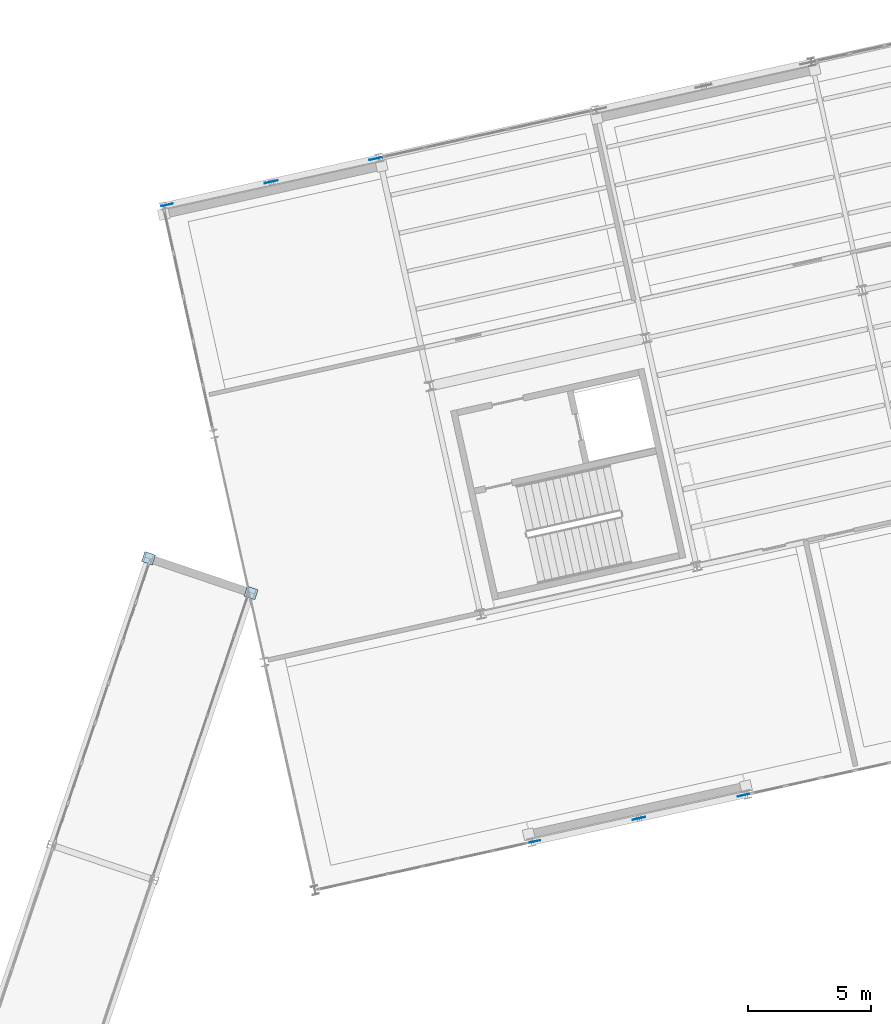
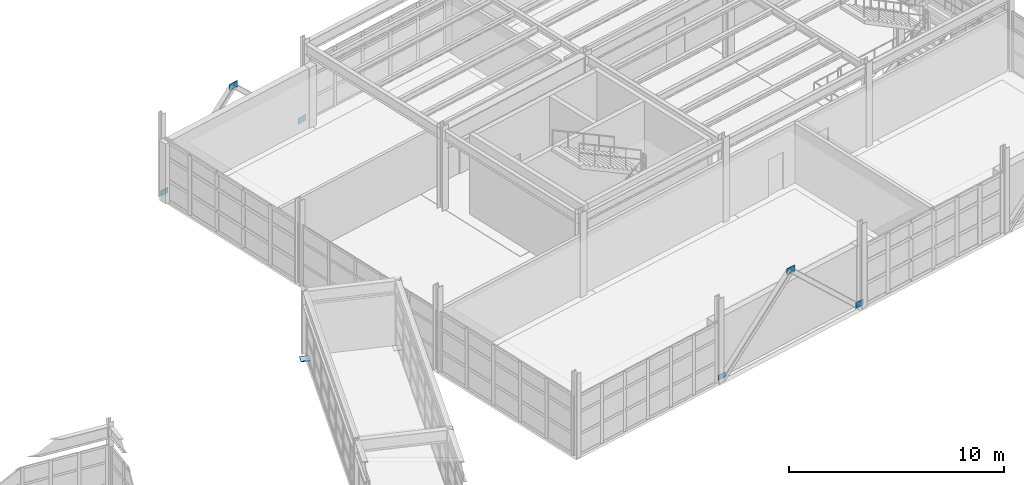
# One storey, part 83 of 102: 8 plates.
"""IFC4 building model written with IfcOpenShell, lengths in metres."""

from ifc_helpers import new_model, si_unit, direction, frame, origin, origin_2d, place, context, subcontext, project, spatial, rectangle, extrude, material, layer, layer_set, type_object, element, save


model = new_model("IFC4")

# Units and contexts
model_context = context("Model", 3, precision=1e-05, world=origin(), true_north=direction((0.0, 1.0)))
body_context = subcontext(model_context, "Body", "Model", "MODEL_VIEW")
ifc_project = project(units=[si_unit("LENGTHUNIT", "METRE"), si_unit("AREAUNIT", "SQUARE_METRE"), si_unit("VOLUMEUNIT", "CUBIC_METRE"), si_unit("PLANEANGLEUNIT", "RADIAN"), si_unit("MASSUNIT", "GRAM", prefix="KILO")], contexts=[model_context])

# Site, building, storey
site_placement = place(None, origin())
site = spatial("IfcSite", under=ifc_project, at=site_placement, CompositionType="ELEMENT")
building_placement = place(site_placement, origin())
building = spatial("IfcBuilding", under=site, at=building_placement, Name="Vireo Bluff Cable Station", CompositionType="ELEMENT")
storey_placement = place(building_placement, frame((0.0, 0.0, 9.60009765625)))
storey = spatial("IfcBuildingStorey", under=building, at=storey_placement, Name="L02", CompositionType="ELEMENT", Elevation=9.60009765625)

# Plates
ifc_material = material(Name="Steel ASTM A572 Gr. 50", Category="steel")
ifc_layer_1 = layer(ifc_material, 0.01708984375, Name="Steel ASTM A572 Gr. 50")
ifc_layer_set_1 = layer_set([ifc_layer_1], Name="Steel ASTM A572 Gr. 50")
plate_type_1 = type_object("IfcPlateType", Name="GUSSET-440X290X17", PredefinedType="USERDEFINED", material=ifc_layer_set_1)
plate_1_placement = place(storey_placement, frame((134.94287109375, 75.982666015625, 0.074951171875), z_axis=(0.0, 0.0, 1.0), x_axis=(0.97629600712, 0.216439613938, 0.0)))
element("IfcPlate", 1, at=plate_1_placement, inside=storey, type_object=plate_type_1, Name="V2 L02 brace base gusset plate 110", ObjectType="GUSSET PLATE", PredefinedType="USERDEFINED", context=body_context, shape_type="SweptSolid", body=[
    extrude(rectangle(XDim=0.43994140625, YDim=0.01708984375, at=origin_2d()), origin(), (0.0, 0.0, 1.0), 0.2900390625),
])
ifc_layer_2 = layer(ifc_material, 0.01806640625, Name="Steel ASTM A572 Gr. 50")
ifc_layer_set_2 = layer_set([ifc_layer_2], Name="Steel ASTM A572 Gr. 50")
plate_type_2 = type_object("IfcPlateType", Name="GUSSET-460X300X18", PredefinedType="USERDEFINED", material=ifc_layer_set_2)
plate_2_placement = place(storey_placement, frame((119.98779296875, 101.859130859375, 0.06982421875), z_axis=(0.0, 0.0, 1.0), x_axis=(0.97629600712, 0.216439613938, 0.0)))
element("IfcPlate", 2, at=plate_2_placement, inside=storey, type_object=plate_type_2, Name="V2 L02 brace base gusset plate 101", ObjectType="GUSSET PLATE", PredefinedType="USERDEFINED", context=body_context, shape_type="SweptSolid", body=[
    extrude(rectangle(XDim=0.4599609375, YDim=0.01806640625, at=origin_2d()), origin(), (0.0, 0.0, 1.0), 0.300048828125),
])
ifc_layer_3 = layer(ifc_material, 0.01904296875, Name="Steel ASTM A572 Gr. 50")
ifc_layer_set_3 = layer_set([ifc_layer_3], Name="Steel ASTM A572 Gr. 50")
plate_type_3 = type_object("IfcPlateType", Name="GUSSET-480X310X19", PredefinedType="USERDEFINED", material=ifc_layer_set_3)
plate_3_placement = place(storey_placement, frame((143.417236328125, 77.861328125, 0.06494140625), z_axis=(0.0, 0.0, 1.0), x_axis=(0.97629600712, 0.216439613938, 0.0)))
element("IfcPlate", 3, at=plate_3_placement, inside=storey, type_object=plate_type_3, Name="V2 L02 brace base gusset plate 111", ObjectType="GUSSET PLATE", PredefinedType="USERDEFINED", context=body_context, shape_type="SweptSolid", body=[
    extrude(rectangle(XDim=0.47998046875, YDim=0.01904296875, at=origin_2d()), origin(), (0.0, 0.0, 1.0), 0.31005859375),
])
ifc_layer_4 = layer(ifc_material, 0.02001953125, Name="Steel ASTM A572 Gr. 50")
ifc_layer_set_4 = layer_set([ifc_layer_4], Name="Steel ASTM A572 Gr. 50")
plate_type_4 = type_object("IfcPlateType", Name="GUSSET-500X340X20", PredefinedType="USERDEFINED", material=ifc_layer_set_4)
plate_4_placement = place(storey_placement, frame((128.4619140625, 103.73779296875, 0.0498046875), z_axis=(0.0, 0.0, 1.0), x_axis=(0.97629600712, 0.216439613938, 0.0)))
element("IfcPlate", 4, at=plate_4_placement, inside=storey, type_object=plate_type_4, Name="V2 L02 brace base gusset plate 102", ObjectType="GUSSET PLATE", PredefinedType="USERDEFINED", context=body_context, shape_type="SweptSolid", body=[
    extrude(rectangle(XDim=0.5, YDim=0.02001953125, at=origin_2d()), origin(), (0.0, 0.0, 1.0), 0.340087890625),
])
ifc_layer_5 = layer(ifc_material, 0.02099609375, Name="Steel ASTM A572 Gr. 50")
ifc_layer_set_5 = layer_set([ifc_layer_5], Name="Steel ASTM A572 Gr. 50")
plate_type_5 = type_object("IfcPlateType", Name="GUSSET-520X350X21", PredefinedType="USERDEFINED", material=ifc_layer_set_5)
plate_5_placement = place(storey_placement, frame((139.179931640625, 76.921875, 4.0048828125), z_axis=(0.0, 0.0, 1.0), x_axis=(0.97629600712, 0.216439613938, 0.0)))
element("IfcPlate", 5, at=plate_5_placement, inside=storey, type_object=plate_type_5, Name="V2 L02 chevron gusset plate 112", ObjectType="GUSSET PLATE", PredefinedType="USERDEFINED", context=body_context, shape_type="SweptSolid", body=[
    extrude(rectangle(XDim=0.52001953125, YDim=0.02099609375, at=origin_2d()), origin(), (0.0, 0.0, 1.0), 0.35009765625),
])
ifc_layer_6 = layer(ifc_material, 0.02197265625, Name="Steel ASTM A572 Gr. 50")
ifc_layer_set_6 = layer_set([ifc_layer_6], Name="Steel ASTM A572 Gr. 50")
plate_type_6 = type_object("IfcPlateType", Name="GUSSET-540X360X22", PredefinedType="USERDEFINED", material=ifc_layer_set_6)
plate_6_placement = place(storey_placement, frame((124.224853515625, 102.79833984375, 4.0), z_axis=(0.0, 0.0, 1.0), x_axis=(0.97629600712, 0.216439613938, 0.0)))
element("IfcPlate", 6, at=plate_6_placement, inside=storey, type_object=plate_type_6, Name="V2 L02 chevron gusset plate 103", ObjectType="GUSSET PLATE", PredefinedType="USERDEFINED", context=body_context, shape_type="SweptSolid", body=[
    extrude(rectangle(XDim=0.5400390625, YDim=0.02197265625, at=origin_2d()), origin(), (0.0, 0.0, 1.0), 0.360107421875),
])
ifc_layer_7 = layer(ifc_material, 0.0400390625, Name="Steel ASTM A572 Gr. 50")
ifc_layer_set_7 = layer_set([ifc_layer_7], Name="Steel ASTM A572 Gr. 50")
plate_type_7 = type_object("IfcPlateType", Name="SKYBR-SEAT-420X460X40", PredefinedType="SHEET", material=ifc_layer_set_7)
for number, where, z_axis, x_axis, name in (
    (7, (123.40478515625, 86.085693359375, -0.300048828125), (0.0, 0.0, 1.0), (0.32035190998, 0.947298608556, 0.0), "HAUL-DRIVE skybridge 380mm sliding bearing seat BL"),
    (8, (119.236572265625, 87.4951171875, -0.300048828125), (0.0, 0.0, 1.0), (0.32035190998, 0.947298608556, 0.0), "HAUL-DRIVE skybridge 380mm sliding bearing seat BR"),
):
    element("IfcPlate", number, at=place(storey_placement, frame(where, z_axis=z_axis, x_axis=x_axis)), inside=storey, type_object=plate_type_7, Name=name, PredefinedType="SHEET", context=body_context, shape_type="SweptSolid", body=[
        extrude(rectangle(XDim=0.419921875, YDim=0.4599609375, at=origin_2d()), origin(), (0.0, 0.0, 1.0), 0.0400390625),
    ])

save(model, "model.ifc")
